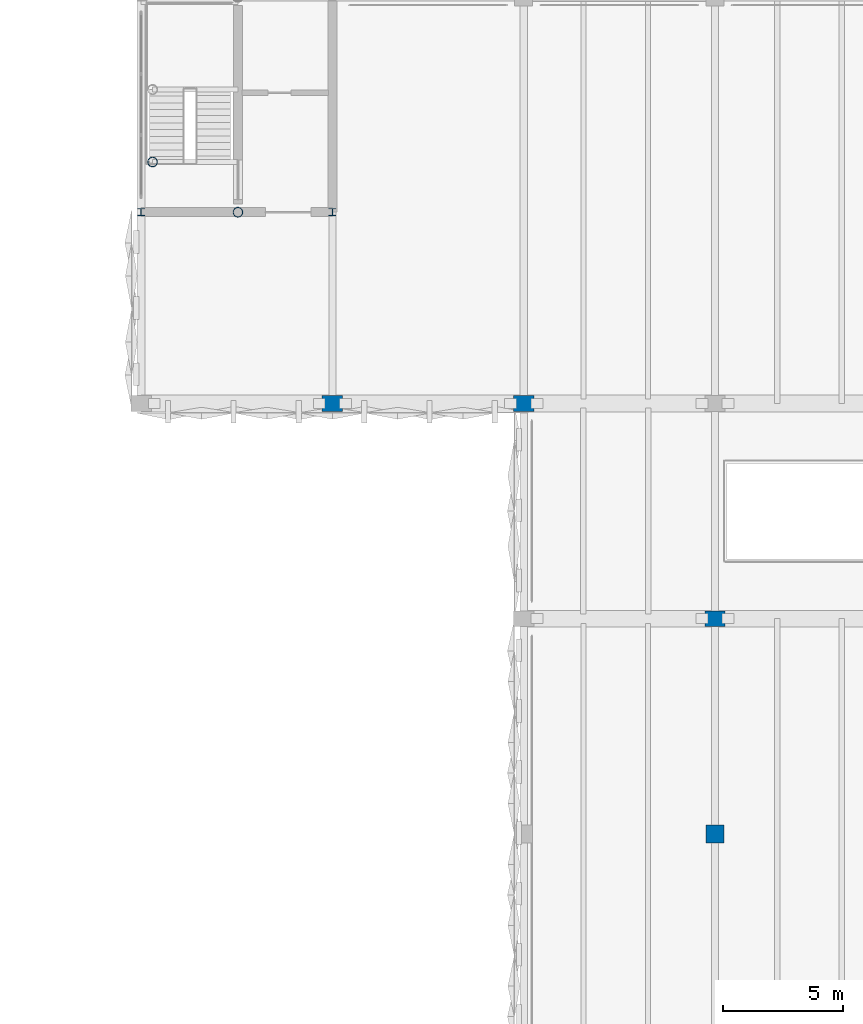
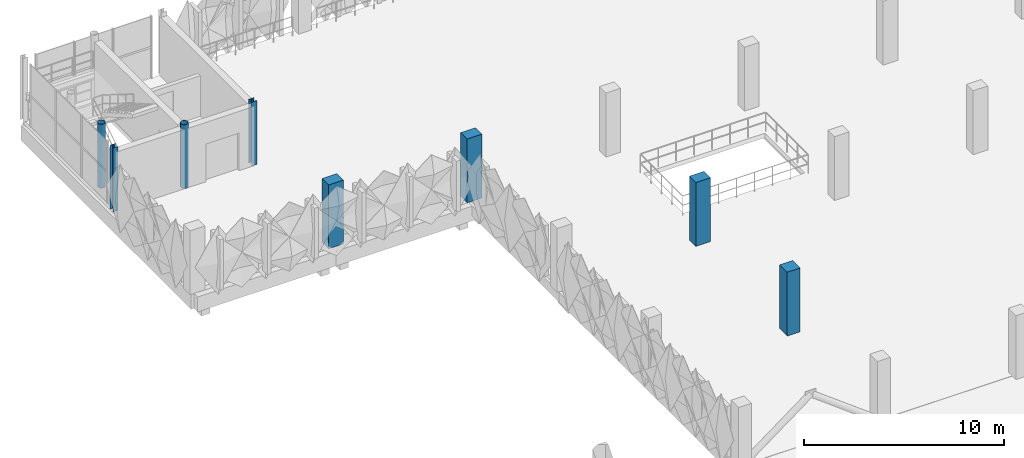
# One storey, part 2 of 83: 8 columns.
"""IFC4 building model written with IfcOpenShell, lengths in metres."""

from ifc_helpers import new_model, si_unit, derived_unit, direction, frame, origin, origin_2d, place, context, subcontext, project, spatial, rectangle, hollow_circle, i_section, extrude, material, material_profile, profile_set, type_object, element, save


model = new_model("IFC4")

# Units and contexts
model_context = context("Model", 3, precision=1e-05, world=origin(), true_north=direction((0.0, 1.0)))
body_context = subcontext(model_context, "Body", "Model", "MODEL_VIEW")
ifc_project = project(units=[si_unit("LENGTHUNIT", "METRE"), si_unit("AREAUNIT", "SQUARE_METRE"), si_unit("VOLUMEUNIT", "CUBIC_METRE"), si_unit("PLANEANGLEUNIT", "RADIAN"), si_unit("MASSUNIT", "GRAM", prefix="KILO"), si_unit("THERMODYNAMICTEMPERATUREUNIT", "KELVIN"), derived_unit("THERMALTRANSMITTANCEUNIT", [(si_unit("POWERUNIT", "WATT"), 1), (si_unit("AREAUNIT", "SQUARE_METRE"), -1), (si_unit("THERMODYNAMICTEMPERATUREUNIT", "KELVIN"), -1)])], contexts=[model_context])

# Site, building, storey
site_placement = place(None, origin())
site = spatial("IfcSite", under=ifc_project, at=site_placement, CompositionType="ELEMENT")
building_placement = place(site_placement, origin())
building = spatial("IfcBuilding", under=site, at=building_placement, Name="Haiyu Intermodal Mobility Hub", CompositionType="ELEMENT")
storey_placement = place(building_placement, frame((0.0, 0.0, 13.39990234375)))
storey = spatial("IfcBuildingStorey", under=building, at=storey_placement, Name="L03", CompositionType="ELEMENT", Elevation=13.39990234375)

# Columns
ifc_material_1 = material(Name="Precast concrete C40", Category="concrete")
ifc_material_profile_1 = material_profile(ifc_material_1, rectangle(XDim=0.75, YDim=0.75, at=origin_2d()), Name="RC750x750")
ifc_profile_set_1 = profile_set([ifc_material_profile_1], Name="Precast concrete C40")
column_type_1 = type_object("IfcColumnType", Name="COL-CC03", PredefinedType="COLUMN", material=ifc_profile_set_1)
column_1_placement = place(storey_placement, frame((46.0, 113.0, 0.0), z_axis=(0.0, 0.0, 1.0), x_axis=(1.0, 0.0, 0.0)))
element("IfcColumn", 1, at=column_1_placement, inside=storey, type_object=column_type_1, Name="Column V3S-5N L03", PredefinedType="COLUMN", context=body_context, shape_type="SweptSolid", body=[
    extrude(rectangle(XDim=0.75, YDim=0.75, at=origin_2d()), origin(), (0.0, 0.0, 1.0), 3.900146484375),
])
ifc_material_profile_2 = material_profile(ifc_material_1, rectangle(XDim=0.85009765625, YDim=0.64990234375, at=origin_2d()), Name="RC850x650")
ifc_profile_set_2 = profile_set([ifc_material_profile_2], Name="Precast concrete C40")
column_type_2 = type_object("IfcColumnType", Name="COL-CC05", PredefinedType="COLUMN", material=ifc_profile_set_2)
for number, where, z_axis, x_axis, name in (
    (2, (30.0, 131.0, 0.0), (0.0, 0.0, 1.0), (1.0, 0.0, 0.0), "Column V4-3Q L03"),
    (3, (38.0, 131.0, 0.0), (0.0, 0.0, 1.0), (1.0, 0.0, 0.0), "Column V4-4Q L03"),
    (4, (46.0, 122.0, 0.0), (0.0, 0.0, 1.0), (1.0, 0.0, 0.0), "Column V4-5P L03"),
):
    element("IfcColumn", number, at=place(storey_placement, frame(where, z_axis=z_axis, x_axis=x_axis)), inside=storey, type_object=column_type_2, Name=name, PredefinedType="COLUMN", context=body_context, shape_type="SweptSolid", body=[
        extrude(rectangle(XDim=0.85009765625, YDim=0.64990234375, at=origin_2d()), origin(), (0.0, 0.0, 1.0), 3.900146484375),
    ])
ifc_material_2 = material(Name="Steel Q355C", Category="steel")
ifc_material_profile_3 = material_profile(ifc_material_2, hollow_circle(Radius=0.202880859375, WallThickness=0.013916015625, at=origin_2d()), Name="CHS406x14")
ifc_profile_set_3 = profile_set([ifc_material_profile_3], Name="Steel Q355C")
column_type_3 = type_object("IfcColumnType", Name="COL-SC03", PredefinedType="COLUMN", material=ifc_profile_set_3)
for number, where, z_axis, x_axis, name in (
    (5, (26.050048828125, 139.0, 0.0), (0.0, 0.0, 1.0), (1.0, 0.0, 0.0), "Column C3-MS L03"),
    (6, (22.47998046875, 141.10009765625, 0.0), (0.0, 0.0, 1.0), (1.0, 0.0, 0.0), "Column C3-WTP L03"),
):
    element("IfcColumn", number, at=place(storey_placement, frame(where, z_axis=z_axis, x_axis=x_axis)), inside=storey, type_object=column_type_3, Name=name, PredefinedType="COLUMN", context=body_context, shape_type="SweptSolid", body=[
        extrude(hollow_circle(Radius=0.202880859375, WallThickness=0.013916015625, at=origin_2d()), origin(), (0.0, 0.0, 1.0), 3.900146484375),
    ])
ifc_material_profile_4 = material_profile(ifc_material_2, i_section(OverallWidth=0.300048828125, OverallDepth=0.300048828125, WebThickness=0.010009765625, FlangeThickness=0.014892578125, FilletRadius=0.01806640625, at=origin_2d()), Name="HW300x300x10x15")
ifc_profile_set_4 = profile_set([ifc_material_profile_4], Name="Steel Q355C")
column_type_4 = type_object("IfcColumnType", Name="COL-SC07", PredefinedType="COLUMN", material=ifc_profile_set_4)
column_2_placement = place(storey_placement, frame((30.0, 139.0, 0.0), z_axis=(0.0, 0.0, 1.0), x_axis=(1.0, 0.0, 0.0)))
element("IfcColumn", 7, at=column_2_placement, inside=storey, type_object=column_type_4, Name="Column C3-SE L03", PredefinedType="COLUMN", context=body_context, shape_type="SweptSolid", body=[
    extrude(i_section(OverallWidth=0.300048828125, OverallDepth=0.300048828125, WebThickness=0.010009765625, FlangeThickness=0.014892578125, FilletRadius=0.01806640625, at=origin_2d()), origin(), (0.0, 0.0, 1.0), 3.900146484375),
])
ifc_material_profile_5 = material_profile(ifc_material_2, i_section(OverallWidth=0.300048828125, OverallDepth=0.300048828125, WebThickness=0.010009765625, FlangeThickness=0.014892578125, FilletRadius=0.01806640625, at=origin_2d()), Name="HW300x300x10x15")
ifc_profile_set_5 = profile_set([ifc_material_profile_5], Name="Steel Q355C")
column_type_5 = type_object("IfcColumnType", Name="COL-SC07-EXT", PredefinedType="COLUMN", material=ifc_profile_set_5)
column_3_placement = place(storey_placement, frame((22.0, 139.0, 0.0), z_axis=(0.0, 0.0, 1.0), x_axis=(1.0, 0.0, 0.0)))
element("IfcColumn", 8, at=column_3_placement, inside=storey, type_object=column_type_5, Name="Column C3-SW L03", PredefinedType="COLUMN", context=body_context, shape_type="SweptSolid", body=[
    extrude(i_section(OverallWidth=0.300048828125, OverallDepth=0.300048828125, WebThickness=0.010009765625, FlangeThickness=0.014892578125, FilletRadius=0.01806640625, at=origin_2d()), origin(), (0.0, 0.0, 1.0), 3.900146484375),
])

save(model, "model.ifc")
